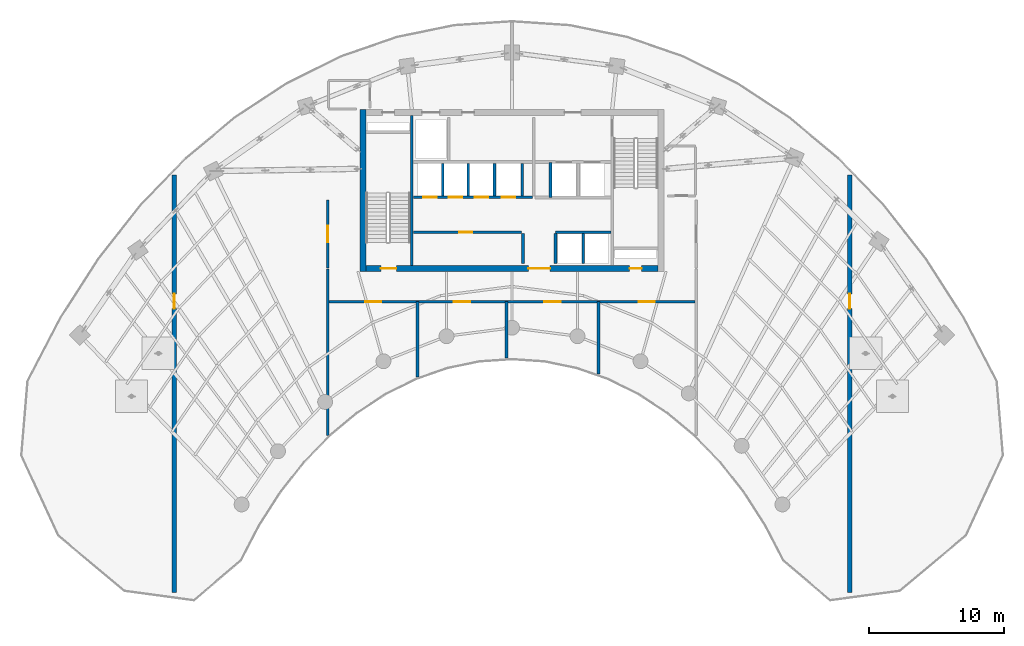
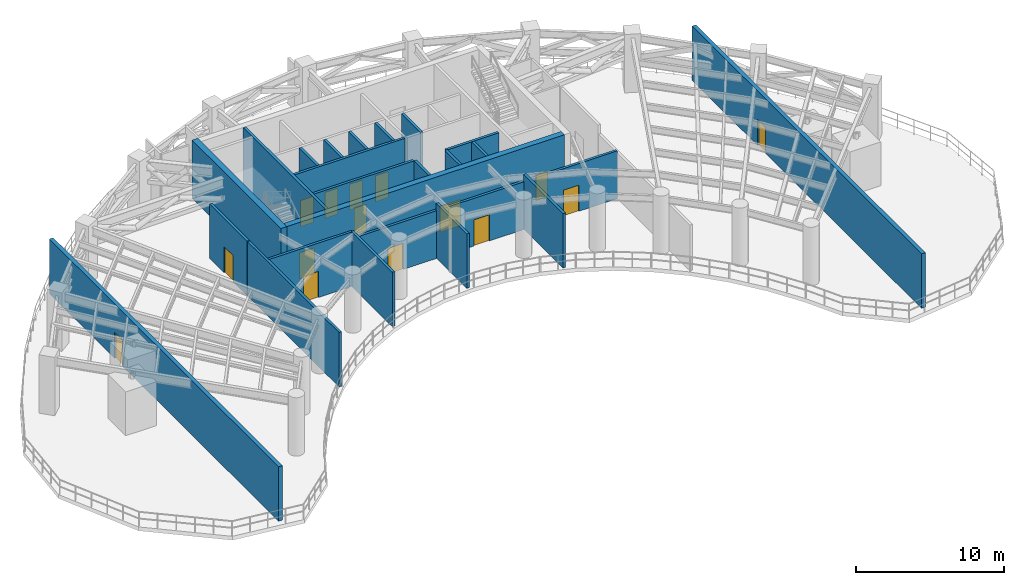
# One storey, part 11 of 24: 25 walls, 15 doors, 15 openings.
"""IFC4 building model written with IfcOpenShell, lengths in metres."""

from ifc_helpers import new_model, si_unit, direction, frame, frame_2d, origin, place, context, subcontext, project, spatial, rectangle, extrude, source, transform, mapped, material, layer, layer_set, type_object, type_shapes, element, fill, save


model = new_model("IFC4")

# Units and contexts
model_context = context("Model", 3, precision=1e-05, world=origin(), true_north=direction((0.0, 1.0)))
body_context = subcontext(model_context, "Body", "Model", "MODEL_VIEW")
ifc_project = project(units=[si_unit("LENGTHUNIT", "METRE"), si_unit("AREAUNIT", "SQUARE_METRE"), si_unit("VOLUMEUNIT", "CUBIC_METRE"), si_unit("PLANEANGLEUNIT", "RADIAN"), si_unit("MASSUNIT", "GRAM", prefix="KILO")], contexts=[model_context])

# Site, building, storey
site_placement = place(None, origin())
site = spatial("IfcSite", under=ifc_project, at=site_placement, CompositionType="ELEMENT")
building_placement = place(site_placement, origin())
building = spatial("IfcBuilding", under=site, at=building_placement, Name="Breltana Convention Tower", CompositionType="ELEMENT")
storey_placement = place(building_placement, frame((0.0, 0.0, 189.60009765625)))
storey = spatial("IfcBuildingStorey", under=building, at=storey_placement, Name="L46", CompositionType="ELEMENT", Elevation=189.60009765625)

# Wall
ifc_material_1 = material(Name="Concrete C60/75", Category="concrete")
ifc_layer_1 = layer(ifc_material_1, 0.449951171875, Name="Concrete C60/75")
ifc_layer_set_1 = layer_set([ifc_layer_1], Name="Concrete C60/75")
wall_type_1 = type_object("IfcWallType", Name="SW-CORE-450", PredefinedType="SHEAR", material=ifc_layer_set_1)
shared_shape_1 = source(origin(), body_context, "Body", "SweptSolid", [
    extrude(rectangle(XDim=12.0, YDim=0.449951171875, at=frame_2d((6.0, 0.0))), origin(), (0.0, 0.0, 1.0), 4.7998046875),
])
type_shapes(wall_type_1, [shared_shape_1])
wall_1_placement = place(storey_placement, frame((36.97509765625, 60.199951171875, 0.0), z_axis=(0.0, 0.0, 1.0), x_axis=(0.0, 1.0, 0.0)))
element("IfcWall", 1, at=wall_1_placement, inside=storey, type_object=wall_type_1, Name="L46 West Core Shear Wall", PredefinedType="SHEAR", context=body_context, shape_type="MappedRepresentation", body=[
    mapped(shared_shape_1, transform((0.0, 0.0, 0.0), scale=1.0)),
])

# Wall, openings, doors
shared_shape_2 = source(origin(), body_context, "Body", "SweptSolid", [
    extrude(rectangle(XDim=21.60009765625, YDim=0.449951171875, at=frame_2d((10.800048828125, 0.0))), origin(), (0.0, 0.0, 1.0), 4.7998046875),
])
wall_2_placement = place(storey_placement, frame((37.199951171875, 60.425048828125, 0.0), z_axis=(0.0, 0.0, 1.0), x_axis=(1.0, 0.0, 0.0)))
wall_2 = element("IfcWall", 2, at=wall_2_placement, inside=storey, type_object=wall_type_1, Name="L46 South Core Shear Wall", PredefinedType="SHEAR", context=body_context, shape_type="MappedRepresentation", body=[
    mapped(shared_shape_2, transform((0.0, 0.0, 0.0), scale=1.0)),
])
opening_1_placement = place(wall_2_placement, frame((1.10009765625, 0.0, 0.0)))
opening_1 = element("IfcOpeningElement", 3, at=opening_1_placement, cuts=wall_2, Name="Opening D-11", PredefinedType="OPENING", context=body_context, shape_type="SweptSolid", body=[
    extrude(rectangle(XDim=1.14990234375, YDim=2.14990234375, at=frame_2d((0.574951171875, 1.074951171875))), frame((0.0, 0.23486328125, 0.0), z_axis=(0.0, -1.0, 0.0), x_axis=(1.0, 0.0, 0.0)), (0.0, 0.0, 1.0), 0.469970703125),
])
opening_2_placement = place(wall_2_placement, frame((19.5, 0.0, 0.0)))
opening_2 = element("IfcOpeningElement", 4, at=opening_2_placement, cuts=wall_2, Name="Opening D-18", PredefinedType="OPENING", context=body_context, shape_type="SweptSolid", body=[
    extrude(rectangle(XDim=0.89990234375, YDim=2.10009765625, at=frame_2d((0.449951171875, 1.050048828125))), frame((0.0, 0.23486328125, 0.0), z_axis=(0.0, -1.0, 0.0), x_axis=(1.0, 0.0, 0.0)), (0.0, 0.0, 1.0), 0.469970703125),
])
opening_3_placement = place(wall_2_placement, frame((12.02001953125, 0.0, 0.0)))
opening_3 = element("IfcOpeningElement", 5, at=opening_3_placement, cuts=wall_2, Name="Opening D-02", PredefinedType="OPENING", context=body_context, shape_type="SweptSolid", body=[
    extrude(rectangle(XDim=1.60009765625, YDim=2.14990234375, at=frame_2d((0.800048828125, 1.074951171875))), frame((0.0, 0.23486328125, 0.0), z_axis=(0.0, -1.0, 0.0), x_axis=(1.0, 0.0, 0.0)), (0.0, 0.0, 1.0), 0.469970703125),
])
ifc_material_2 = material(Name="Steel Stair Exit Door", Category="steel")
door_type_1 = type_object("IfcDoorType", Name="DR-FD120-1150", OperationType="NOTDEFINED", PredefinedType="DOOR", material=ifc_material_2)
shared_shape_3 = source(origin(), body_context, "Body", "SweptSolid", [
    extrude(rectangle(XDim=1.14990234375, YDim=2.14990234375, at=frame_2d((0.574951171875, 1.074951171875))), frame((0.0, 0.02490234375, 0.0), z_axis=(0.0, -1.0, 0.0), x_axis=(1.0, 0.0, 0.0)), (0.0, 0.0, 1.0), 0.050048828125),
])
type_shapes(door_type_1, [shared_shape_3])
door_1_placement = place(opening_1_placement, origin())
door_1 = element("IfcDoor", 6, at=door_1_placement, inside=storey, type_object=door_type_1, Name="L46 interior door D-L46-ST1", OperationType="SINGLE_SWING_LEFT", OverallHeight=2.14990234375, OverallWidth=1.14990234375, PredefinedType="DOOR", context=body_context, shape_type="MappedRepresentation", body=[
    mapped(shared_shape_3, transform((0.0, 0.0, 0.0), scale=1.0)),
])
fill(opening_1, door_1)
ifc_material_3 = material(Name="Steel Riser Fire Door", Category="steel")
door_type_2 = type_object("IfcDoorType", Name="DR-FD60-900", OperationType="NOTDEFINED", PredefinedType="DOOR", material=ifc_material_3)
shared_shape_4 = source(origin(), body_context, "Body", "SweptSolid", [
    extrude(rectangle(XDim=0.89990234375, YDim=2.10009765625, at=frame_2d((0.449951171875, 1.050048828125))), frame((0.0, 0.02490234375, 0.0), z_axis=(0.0, -1.0, 0.0), x_axis=(1.0, 0.0, 0.0)), (0.0, 0.0, 1.0), 0.050048828125),
])
type_shapes(door_type_2, [shared_shape_4])
door_2_placement = place(opening_2_placement, origin())
door_2 = element("IfcDoor", 7, at=door_2_placement, inside=storey, type_object=door_type_2, Name="L46 Core Riser Access Door D-L46-RS2", OperationType="SINGLE_SWING_RIGHT", OverallHeight=2.10009765625, OverallWidth=0.89990234375, PredefinedType="DOOR", context=body_context, shape_type="MappedRepresentation", body=[
    mapped(shared_shape_4, transform((0.0, 0.0, 0.0), scale=1.0)),
])
fill(opening_2, door_2)
ifc_material_4 = material(Name="Steel Glazed Smoke-Control Door", Category="steel")
door_type_3 = type_object("IfcDoorType", Name="DR-DBL-FD90-1600", OperationType="DOUBLE_DOOR_SINGLE_SWING", PredefinedType="DOOR", material=ifc_material_4)
shared_shape_5 = source(origin(), body_context, "Body", "SweptSolid", [
    extrude(rectangle(XDim=1.60009765625, YDim=2.14990234375, at=frame_2d((0.800048828125, 1.074951171875))), frame((0.0, 0.02490234375, 0.0), z_axis=(0.0, -1.0, 0.0), x_axis=(1.0, 0.0, 0.0)), (0.0, 0.0, 1.0), 0.050048828125),
])
type_shapes(door_type_3, [shared_shape_5])
door_3_placement = place(opening_3_placement, origin())
door_3 = element("IfcDoor", 8, at=door_3_placement, inside=storey, type_object=door_type_3, Name="L46 interior door D-L46-LLB-S", OperationType="DOUBLE_DOOR_SINGLE_SWING", OverallHeight=2.14990234375, OverallWidth=1.60009765625, PredefinedType="DOOR", context=body_context, shape_type="MappedRepresentation", body=[
    mapped(shared_shape_5, transform((0.0, 0.0, 0.0), scale=1.0)),
])
fill(opening_3, door_3)

# Wall
ifc_material_5 = material(Name="Concrete C50/60", Category="concrete")
ifc_layer_2 = layer(ifc_material_5, 0.39990234375, Name="Concrete C50/60")
ifc_layer_set_2 = layer_set([ifc_layer_2], Name="Concrete C50/60")
wall_type_2 = type_object("IfcWallType", Name="SW-CORE-400", PredefinedType="SHEAR", material=ifc_layer_set_2)
shared_shape_6 = source(origin(), body_context, "Body", "SweptSolid", [
    extrude(rectangle(XDim=11.10009765625, YDim=0.219970703125, at=frame_2d((5.550048828125, 0.0))), origin(), (0.0, 0.0, 1.0), 4.7998046875),
])
wall_3_placement = place(storey_placement, frame((40.580078125, 60.64990234375, 0.0), z_axis=(0.0, 0.0, 1.0), x_axis=(0.0, 1.0, 0.0)))
element("IfcWall", 9, at=wall_3_placement, inside=storey, type_object=wall_type_2, Name="L46 Core West Stair Spine Wall", PredefinedType="SHEAR", context=body_context, shape_type="MappedRepresentation", body=[
    mapped(shared_shape_6, transform((0.0, 0.0, 0.0), scale=1.0)),
])

# Wall, opening, door
ifc_material_6 = material(Name="Limestone Buff Insulated Wall", Category="masonry")
ifc_layer_3 = layer(ifc_material_6, 0.300048828125, Name="Limestone Buff Insulated Wall")
ifc_layer_set_3 = layer_set([ifc_layer_3], Name="Limestone Buff Insulated Wall")
wall_type_3 = type_object("IfcWallType", Name="WL-EXT-CRN-300", PredefinedType="SOLIDWALL", material=ifc_layer_set_3)
shared_shape_7 = source(origin(), body_context, "Body", "SweptSolid", [
    extrude(rectangle(XDim=30.900146484375, YDim=0.300048828125, at=frame_2d((15.4501953125, 0.0))), origin(), (0.0, 0.0, 1.0), 4.47998046875),
])
wall_4_placement = place(storey_placement, frame((23.0, 36.449951171875, 0.0), z_axis=(0.0, 0.0, 1.0), x_axis=(0.0, 1.0, 0.0)))
wall_4 = element("IfcWall", 10, at=wall_4_placement, inside=storey, type_object=wall_type_3, Name="L46 Venturi slot enclosure wall W", PredefinedType="SOLIDWALL", context=body_context, shape_type="MappedRepresentation", body=[
    mapped(shared_shape_7, transform((0.0, 0.0, 0.0), scale=1.0)),
])
opening_4_placement = place(wall_4_placement, frame((21.0, 0.0, 0.0)))
opening_4 = element("IfcOpeningElement", 11, at=opening_4_placement, cuts=wall_4, Name="Opening ED-05", PredefinedType="OPENING", context=body_context, shape_type="SweptSolid", body=[
    extrude(rectangle(XDim=1.10009765625, YDim=2.14990234375, at=frame_2d((0.550048828125, 1.074951171875))), frame((0.0, 0.16015625, 0.0), z_axis=(0.0, -1.0, 0.0), x_axis=(1.0, 0.0, 0.0)), (0.0, 0.0, 1.0), 0.320068359375),
])
ifc_material_7 = material(Name="Steel Weatherproof Maintenance Door", Category="steel")
door_type_4 = type_object("IfcDoorType", Name="DR-VNT-1100", OperationType="NOTDEFINED", PredefinedType="DOOR", material=ifc_material_7)
shared_shape_8 = source(origin(), body_context, "Body", "SweptSolid", [
    extrude(rectangle(XDim=1.10009765625, YDim=2.14990234375, at=frame_2d((0.550048828125, 1.074951171875))), frame((0.0, 0.02490234375, 0.0), z_axis=(0.0, -1.0, 0.0), x_axis=(1.0, 0.0, 0.0)), (0.0, 0.0, 1.0), 0.050048828125),
])
type_shapes(door_type_4, [shared_shape_8])
door_4_placement = place(opening_4_placement, origin())
door_4 = element("IfcDoor", 12, at=door_4_placement, inside=storey, type_object=door_type_4, Name="L46 Venturi deck maintenance door W", OperationType="SINGLE_SWING_LEFT", OverallHeight=2.14990234375, OverallWidth=1.10009765625, PredefinedType="DOOR", context=body_context, shape_type="MappedRepresentation", body=[
    mapped(shared_shape_8, transform((0.0, 0.0, 0.0), scale=1.0)),
])
fill(opening_4, door_4)

wall_5_placement = place(storey_placement, frame((73.0, 36.449951171875, 0.0), z_axis=(0.0, 0.0, 1.0), x_axis=(0.0, 1.0, 0.0)))
wall_5 = element("IfcWall", 13, at=wall_5_placement, inside=storey, type_object=wall_type_3, Name="L46 Venturi slot enclosure wall E", PredefinedType="SOLIDWALL", context=body_context, shape_type="MappedRepresentation", body=[
    mapped(shared_shape_7, transform((0.0, 0.0, 0.0), scale=1.0)),
])
opening_5_placement = place(wall_5_placement, frame((21.0, 0.0, 0.0)))
opening_5 = element("IfcOpeningElement", 14, at=opening_5_placement, cuts=wall_5, Name="Opening ED-05", PredefinedType="OPENING", context=body_context, shape_type="SweptSolid", body=[
    extrude(rectangle(XDim=1.10009765625, YDim=2.14990234375, at=frame_2d((0.550048828125, 1.074951171875))), frame((0.0, 0.16015625, 0.0), z_axis=(0.0, -1.0, 0.0), x_axis=(1.0, 0.0, 0.0)), (0.0, 0.0, 1.0), 0.320068359375),
])
door_5_placement = place(opening_5_placement, origin())
door_5 = element("IfcDoor", 15, at=door_5_placement, inside=storey, type_object=door_type_4, Name="L46 Venturi deck maintenance door E", OperationType="SINGLE_SWING_RIGHT", OverallHeight=2.14990234375, OverallWidth=1.10009765625, PredefinedType="DOOR", context=body_context, shape_type="MappedRepresentation", body=[
    mapped(shared_shape_8, transform((0.0, 0.0, 0.0), scale=1.0)),
])
fill(opening_5, door_5)

# Walls
ifc_material_8 = material(Name="Autoclaved Aerated Concrete Block", Category="concrete")
ifc_layer_4 = layer(ifc_material_8, 0.199951171875, Name="Autoclaved Aerated Concrete Block")
ifc_layer_set_4 = layer_set([ifc_layer_4], Name="Autoclaved Aerated Concrete Block")
wall_type_4 = type_object("IfcWallType", Name="WL-SHAFT-200", PredefinedType="SOLIDWALL", material=ifc_layer_set_4)
shared_shape_9 = source(origin(), body_context, "Body", "SweptSolid", [
    extrude(rectangle(XDim=2.239990234375, YDim=0.199951171875, at=frame_2d((1.1201171875, 0.0))), origin(), (0.0, 0.0, 1.0), 4.47998046875),
])
for number, where, z_axis, x_axis, name in (
    (16, (48.820068359375, 60.780029296875, 0.0), (0.0, 0.0, 1.0), (0.0, 1.0, 0.0), "L46 interior partition W-L46-PORT-W"),
    (17, (51.219970703125, 60.780029296875, 0.0), (0.0, 0.0, 1.0), (0.0, 1.0, 0.0), "L46 interior partition W-L46-PORT-E"),
):
    element("IfcWall", number, at=place(storey_placement, frame(where, z_axis=z_axis, x_axis=x_axis)), inside=storey, type_object=wall_type_4, Name=name, PredefinedType="SOLIDWALL", context=body_context, shape_type="MappedRepresentation", body=[
        mapped(shared_shape_9, transform((0.0, 0.0, 0.0), scale=1.0)),
    ])
shared_shape_10 = source(origin(), body_context, "Body", "SweptSolid", [
    extrude(rectangle(XDim=2.580078125, YDim=0.199951171875, at=frame_2d((1.2900390625, 0.0))), origin(), (0.0, 0.0, 1.0), 4.47998046875),
])
wall_6_placement = place(storey_placement, frame((50.85009765625, 65.679931640625, 0.0), z_axis=(0.0, 0.0, 1.0), x_axis=(0.0, 1.0, 0.0)))
element("IfcWall", 18, at=wall_6_placement, inside=storey, type_object=wall_type_4, Name="L46 interior partition W-L46-FL-W", PredefinedType="SOLIDWALL", context=body_context, shape_type="MappedRepresentation", body=[
    mapped(shared_shape_10, transform((0.0, 0.0, 0.0), scale=1.0)),
])
shared_shape_11 = source(origin(), body_context, "Body", "SweptSolid", [
    extrude(rectangle(XDim=2.39990234375, YDim=0.199951171875, at=frame_2d((1.199951171875, 0.0))), origin(), (0.0, 0.0, 1.0), 4.47998046875),
])
for number, where, z_axis, x_axis, name in (
    (19, (48.75, 65.800048828125, 0.0), (0.0, 0.0, 1.0), (0.0, 1.0, 0.0), "L46 interior partition W-L46-SH-M-END"),
    (20, (42.8701171875, 65.800048828125, 0.0), (0.0, 0.0, 1.0), (0.0, 1.0, 0.0), "L46 interior partition W-L46-SH-M-DIV1"),
    (21, (44.77001953125, 65.800048828125, 0.0), (0.0, 0.0, 1.0), (0.0, 1.0, 0.0), "L46 interior partition W-L46-SH-M-DIV2"),
    (22, (46.699951171875, 65.800048828125, 0.0), (0.0, 0.0, 1.0), (0.0, 1.0, 0.0), "L46 interior partition W-L46-SH-M-DIV3"),
):
    element("IfcWall", number, at=place(storey_placement, frame(where, z_axis=z_axis, x_axis=x_axis)), inside=storey, type_object=wall_type_4, Name=name, PredefinedType="SOLIDWALL", context=body_context, shape_type="MappedRepresentation", body=[
        mapped(shared_shape_11, transform((0.0, 0.0, 0.0), scale=1.0)),
    ])

# Wall, openings, doors
shared_shape_12 = source(origin(), body_context, "Body", "SweptSolid", [
    extrude(rectangle(XDim=8.800048828125, YDim=0.199951171875, at=frame_2d((4.39990234375, 0.0))), origin(), (0.0, 0.0, 1.0), 4.47998046875),
])
wall_7_placement = place(storey_placement, frame((40.699951171875, 65.699951171875, 0.0), z_axis=(0.0, 0.0, 1.0), x_axis=(1.0, 0.0, 0.0)))
wall_7 = element("IfcWall", 23, at=wall_7_placement, inside=storey, type_object=wall_type_4, Name="L46 interior partition W-L46-SH-M-FRONT", PredefinedType="SOLIDWALL", context=body_context, shape_type="MappedRepresentation", body=[
    mapped(shared_shape_12, transform((0.0, 0.0, 0.0), scale=1.0)),
])
opening_6_placement = place(wall_7_placement, frame((0.719970703125, 0.0, 0.0)))
opening_6 = element("IfcOpeningElement", 24, at=opening_6_placement, cuts=wall_7, Name="Opening LD-04", PredefinedType="OPENING", context=body_context, shape_type="SweptSolid", body=[
    extrude(rectangle(XDim=1.0, YDim=2.14990234375, at=frame_2d((0.5, 1.074951171875))), frame((0.0, 0.10986328125, 0.0), z_axis=(0.0, -1.0, 0.0), x_axis=(1.0, 0.0, 0.0)), (0.0, 0.0, 1.0), 0.219970703125),
])
opening_7_placement = place(wall_7_placement, frame((2.6201171875, 0.0, 0.0)))
opening_7 = element("IfcOpeningElement", 25, at=opening_7_placement, cuts=wall_7, Name="Opening LD-04", PredefinedType="OPENING", context=body_context, shape_type="SweptSolid", body=[
    extrude(rectangle(XDim=1.0, YDim=2.14990234375, at=frame_2d((0.5, 1.074951171875))), frame((0.0, 0.10986328125, 0.0), z_axis=(0.0, -1.0, 0.0), x_axis=(1.0, 0.0, 0.0)), (0.0, 0.0, 1.0), 0.219970703125),
])
opening_8_placement = place(wall_7_placement, frame((4.550048828125, 0.0, 0.0)))
opening_8 = element("IfcOpeningElement", 26, at=opening_8_placement, cuts=wall_7, Name="Opening LD-04", PredefinedType="OPENING", context=body_context, shape_type="SweptSolid", body=[
    extrude(rectangle(XDim=1.0, YDim=2.14990234375, at=frame_2d((0.5, 1.074951171875))), frame((0.0, 0.10986328125, 0.0), z_axis=(0.0, -1.0, 0.0), x_axis=(1.0, 0.0, 0.0)), (0.0, 0.0, 1.0), 0.219970703125),
])
opening_9_placement = place(wall_7_placement, frame((6.550048828125, 0.0, 0.0)))
opening_9 = element("IfcOpeningElement", 27, at=opening_9_placement, cuts=wall_7, Name="Opening LD-04", PredefinedType="OPENING", context=body_context, shape_type="SweptSolid", body=[
    extrude(rectangle(XDim=1.0, YDim=2.14990234375, at=frame_2d((0.5, 1.074951171875))), frame((0.0, 0.10986328125, 0.0), z_axis=(0.0, -1.0, 0.0), x_axis=(1.0, 0.0, 0.0)), (0.0, 0.0, 1.0), 0.219970703125),
])
ifc_material_9 = material(Name="Stainless Steel Brushed", Category="steel")
door_type_5 = type_object("IfcDoorType", Name="DR-LD-PAX-1000", OperationType="DOUBLE_DOOR_SLIDING", PredefinedType="DOOR", material=ifc_material_9)
shared_shape_13 = source(origin(), body_context, "Body", "SweptSolid", [
    extrude(rectangle(XDim=1.0, YDim=2.14990234375, at=frame_2d((0.5, 1.074951171875))), frame((0.0, 0.02490234375, 0.0), z_axis=(0.0, -1.0, 0.0), x_axis=(1.0, 0.0, 0.0)), (0.0, 0.0, 1.0), 0.050048828125),
])
type_shapes(door_type_5, [shared_shape_13])
door_6_placement = place(opening_6_placement, origin())
door_6 = element("IfcDoor", 28, at=door_6_placement, inside=storey, type_object=door_type_5, Name="L46 Lift Landing Door D-L46-LD-M1", OperationType="DOUBLE_DOOR_SLIDING", OverallHeight=2.14990234375, OverallWidth=1.0, PredefinedType="DOOR", context=body_context, shape_type="MappedRepresentation", body=[
    mapped(shared_shape_13, transform((0.0, 0.0, 0.0), scale=1.0)),
])
fill(opening_6, door_6)
door_7_placement = place(opening_7_placement, origin())
door_7 = element("IfcDoor", 29, at=door_7_placement, inside=storey, type_object=door_type_5, Name="L46 Lift Landing Door D-L46-LD-M2", OperationType="DOUBLE_DOOR_SLIDING", OverallHeight=2.14990234375, OverallWidth=1.0, PredefinedType="DOOR", context=body_context, shape_type="MappedRepresentation", body=[
    mapped(shared_shape_13, transform((0.0, 0.0, 0.0), scale=1.0)),
])
fill(opening_7, door_7)
door_8_placement = place(opening_8_placement, origin())
door_8 = element("IfcDoor", 30, at=door_8_placement, inside=storey, type_object=door_type_5, Name="L46 Lift Landing Door D-L46-LD-M3", OperationType="DOUBLE_DOOR_SLIDING", OverallHeight=2.14990234375, OverallWidth=1.0, PredefinedType="DOOR", context=body_context, shape_type="MappedRepresentation", body=[
    mapped(shared_shape_13, transform((0.0, 0.0, 0.0), scale=1.0)),
])
fill(opening_8, door_8)
door_9_placement = place(opening_9_placement, origin())
door_9 = element("IfcDoor", 31, at=door_9_placement, inside=storey, type_object=door_type_5, Name="L46 Lift Landing Door D-L46-LD-M4", OperationType="DOUBLE_DOOR_SLIDING", OverallHeight=2.14990234375, OverallWidth=1.0, PredefinedType="DOOR", context=body_context, shape_type="MappedRepresentation", body=[
    mapped(shared_shape_13, transform((0.0, 0.0, 0.0), scale=1.0)),
])
fill(opening_9, door_9)

# Wall, opening, door
shared_shape_14 = source(origin(), body_context, "Body", "SweptSolid", [
    extrude(rectangle(XDim=8.02001953125, YDim=0.199951171875, at=frame_2d((4.010009765625, 0.0))), origin(), (0.0, 0.0, 1.0), 4.47998046875),
])
wall_8_placement = place(storey_placement, frame((40.699951171875, 63.10009765625, 0.0), z_axis=(0.0, 0.0, 1.0), x_axis=(1.0, 0.0, 0.0)))
wall_8 = element("IfcWall", 32, at=wall_8_placement, inside=storey, type_object=wall_type_4, Name="L46 interior partition W-L46-SH-S-FRONT", PredefinedType="SOLIDWALL", context=body_context, shape_type="MappedRepresentation", body=[
    mapped(shared_shape_14, transform((0.0, 0.0, 0.0), scale=1.0)),
])
opening_10_placement = place(wall_8_placement, frame((3.39990234375, 0.0, 0.0)))
opening_10 = element("IfcOpeningElement", 33, at=opening_10_placement, cuts=wall_8, Name="Opening D-14", PredefinedType="OPENING", context=body_context, shape_type="SweptSolid", body=[
    extrude(rectangle(XDim=0.949951171875, YDim=2.14990234375, at=frame_2d((0.47509765625, 1.074951171875))), frame((0.0, 0.10986328125, 0.0), z_axis=(0.0, -1.0, 0.0), x_axis=(1.0, 0.0, 0.0)), (0.0, 0.0, 1.0), 0.219970703125),
])
ifc_material_10 = material(Name="Timber Solid-Core Fire Door", Category="wood")
door_type_6 = type_object("IfcDoorType", Name="DR-FD60-950", OperationType="NOTDEFINED", PredefinedType="DOOR", material=ifc_material_10)
shared_shape_15 = source(origin(), body_context, "Body", "SweptSolid", [
    extrude(rectangle(XDim=0.949951171875, YDim=2.14990234375, at=frame_2d((0.47509765625, 1.074951171875))), frame((0.0, 0.02490234375, 0.0), z_axis=(0.0, -1.0, 0.0), x_axis=(1.0, 0.0, 0.0)), (0.0, 0.0, 1.0), 0.050048828125),
])
type_shapes(door_type_6, [shared_shape_15])
door_10_placement = place(opening_10_placement, origin())
door_10 = element("IfcDoor", 34, at=door_10_placement, inside=storey, type_object=door_type_6, Name="L46 interior door D-L46-LV7-B1A", OperationType="SINGLE_SWING_LEFT", OverallHeight=2.14990234375, OverallWidth=0.949951171875, PredefinedType="DOOR", context=body_context, shape_type="MappedRepresentation", body=[
    mapped(shared_shape_15, transform((0.0, 0.0, 0.0), scale=1.0)),
])
fill(opening_10, door_10)

# Walls
shared_shape_16 = source(origin(), body_context, "Body", "SweptSolid", [
    extrude(rectangle(XDim=4.10009765625, YDim=0.199951171875, at=frame_2d((2.050048828125, 0.0))), origin(), (0.0, 0.0, 1.0), 4.47998046875),
])
wall_9_placement = place(storey_placement, frame((51.219970703125, 63.10009765625, 0.0), z_axis=(0.0, 0.0, 1.0), x_axis=(1.0, 0.0, 0.0)))
element("IfcWall", 35, at=wall_9_placement, inside=storey, type_object=wall_type_4, Name="L46 interior partition W-L46-SH-X-FRONT", PredefinedType="SOLIDWALL", context=body_context, shape_type="MappedRepresentation", body=[
    mapped(shared_shape_16, transform((0.0, 0.0, 0.0), scale=1.0)),
])
shared_shape_17 = source(origin(), body_context, "Body", "SweptSolid", [
    extrude(rectangle(XDim=2.199951171875, YDim=0.199951171875, at=frame_2d((1.10009765625, 0.0))), origin(), (0.0, 0.0, 1.0), 4.47998046875),
])
wall_10_placement = place(storey_placement, frame((53.280029296875, 60.800048828125, 0.0), z_axis=(0.0, 0.0, 1.0), x_axis=(0.0, 1.0, 0.0)))
element("IfcWall", 36, at=wall_10_placement, inside=storey, type_object=wall_type_4, Name="L46 interior partition W-L46-SH-X-DIV", PredefinedType="SOLIDWALL", context=body_context, shape_type="MappedRepresentation", body=[
    mapped(shared_shape_17, transform((0.0, 0.0, 0.0), scale=1.0)),
])

# Wall, opening, door
shared_shape_18 = source(origin(), body_context, "Body", "SweptSolid", [
    extrude(rectangle(XDim=6.550048828125, YDim=0.199951171875, at=frame_2d((3.27490234375, 0.0))), origin(), (0.0, 0.0, 1.0), 4.47998046875),
])
wall_11_placement = place(storey_placement, frame((34.449951171875, 57.9599609375, 0.0), z_axis=(0.0, 0.0, 1.0), x_axis=(1.0, 0.0, 0.0)))
wall_11 = element("IfcWall", 37, at=wall_11_placement, inside=storey, type_object=wall_type_4, Name="L46 interior partition W-L46-TPLS-N1", PredefinedType="SOLIDWALL", context=body_context, shape_type="MappedRepresentation", body=[
    mapped(shared_shape_18, transform((0.0, 0.0, 0.0), scale=1.0)),
])
opening_11_placement = place(wall_11_placement, frame((2.675048828125, 0.0, 0.0)))
opening_11 = element("IfcOpeningElement", 38, at=opening_11_placement, cuts=wall_11, Name="Opening D-09", PredefinedType="OPENING", context=body_context, shape_type="SweptSolid", body=[
    extrude(rectangle(XDim=1.199951171875, YDim=2.14990234375, at=frame_2d((0.60009765625, 1.074951171875))), frame((0.0, 0.10986328125, 0.0), z_axis=(0.0, -1.0, 0.0), x_axis=(1.0, 0.0, 0.0)), (0.0, 0.0, 1.0), 0.219970703125),
])
ifc_material_11 = material(Name="Steel Fire Lobby Door", Category="steel")
door_type_7 = type_object("IfcDoorType", Name="DR-FD120-1200", OperationType="NOTDEFINED", PredefinedType="DOOR", material=ifc_material_11)
shared_shape_19 = source(origin(), body_context, "Body", "SweptSolid", [
    extrude(rectangle(XDim=1.199951171875, YDim=2.14990234375, at=frame_2d((0.60009765625, 1.074951171875))), frame((0.0, 0.02490234375, 0.0), z_axis=(0.0, -1.0, 0.0), x_axis=(1.0, 0.0, 0.0)), (0.0, 0.0, 1.0), 0.050048828125),
])
type_shapes(door_type_7, [shared_shape_19])
door_11_placement = place(opening_11_placement, origin())
door_11 = element("IfcDoor", 39, at=door_11_placement, inside=storey, type_object=door_type_7, Name="L46 interior door D-L46-PL-HX", OperationType="SINGLE_SWING_RIGHT", OverallHeight=2.14990234375, OverallWidth=1.199951171875, PredefinedType="DOOR", context=body_context, shape_type="MappedRepresentation", body=[
    mapped(shared_shape_19, transform((0.0, 0.0, 0.0), scale=1.0)),
])
fill(opening_11, door_11)

# Wall
shared_shape_20 = source(origin(), body_context, "Body", "SweptSolid", [
    extrude(rectangle(XDim=5.56201171875, YDim=0.199951171875, at=frame_2d((2.781005859375, 0.0))), origin(), (0.0, 0.0, 1.0), 4.47998046875),
])
wall_12_placement = place(storey_placement, frame((41.0, 52.39794921875, 0.0), z_axis=(0.0, 0.0, 1.0), x_axis=(0.0, 1.0, 0.0)))
element("IfcWall", 40, at=wall_12_placement, inside=storey, type_object=wall_type_4, Name="L46 interior partition W-L46-TPLS-M1", PredefinedType="SOLIDWALL", context=body_context, shape_type="MappedRepresentation", body=[
    mapped(shared_shape_20, transform((0.0, 0.0, 0.0), scale=1.0)),
])

# Wall, opening, door
shared_shape_21 = source(origin(), body_context, "Body", "SweptSolid", [
    extrude(rectangle(XDim=6.60009765625, YDim=0.199951171875, at=frame_2d((3.300048828125, 0.0))), origin(), (0.0, 0.0, 1.0), 3.9248046875),
])
wall_13_placement = place(storey_placement, frame((41.0, 57.9599609375, 0.0), z_axis=(0.0, 0.0, 1.0), x_axis=(1.0, 0.0, 0.0)))
wall_13 = element("IfcWall", 41, at=wall_13_placement, inside=storey, type_object=wall_type_4, Name="L46 interior partition W-L46-TPLS-N2", PredefinedType="SOLIDWALL", context=body_context, shape_type="MappedRepresentation", body=[
    mapped(shared_shape_21, transform((0.0, 0.0, 0.0), scale=1.0)),
])
opening_12_placement = place(wall_13_placement, frame((2.699951171875, 0.0, 0.0)))
opening_12 = element("IfcOpeningElement", 42, at=opening_12_placement, cuts=wall_13, Name="Opening D-09", PredefinedType="OPENING", context=body_context, shape_type="SweptSolid", body=[
    extrude(rectangle(XDim=1.199951171875, YDim=2.14990234375, at=frame_2d((0.60009765625, 1.074951171875))), frame((0.0, 0.10986328125, 0.0), z_axis=(0.0, -1.0, 0.0), x_axis=(1.0, 0.0, 0.0)), (0.0, 0.0, 1.0), 0.219970703125),
])
door_12_placement = place(opening_12_placement, origin())
door_12 = element("IfcDoor", 43, at=door_12_placement, inside=storey, type_object=door_type_7, Name="L46 interior door D-L46-PL-DMP", OperationType="SINGLE_SWING_LEFT", OverallHeight=2.14990234375, OverallWidth=1.199951171875, PredefinedType="DOOR", context=body_context, shape_type="MappedRepresentation", body=[
    mapped(shared_shape_19, transform((0.0, 0.0, 0.0), scale=1.0)),
])
fill(opening_12, door_12)

# Wall
shared_shape_22 = source(origin(), body_context, "Body", "SweptSolid", [
    extrude(rectangle(XDim=4.172607421875, YDim=0.199951171875, at=frame_2d((2.08642578125, 0.0))), origin(), (0.0, 0.0, 1.0), 4.47998046875),
])
wall_14_placement = place(storey_placement, frame((47.60009765625, 53.787353515625, 0.0), z_axis=(0.0, 0.0, 1.0), x_axis=(0.0, 1.0, 0.0)))
element("IfcWall", 44, at=wall_14_placement, inside=storey, type_object=wall_type_4, Name="L46 interior partition W-L46-TPLS-M2", PredefinedType="SOLIDWALL", context=body_context, shape_type="MappedRepresentation", body=[
    mapped(shared_shape_22, transform((0.0, 0.0, 0.0), scale=1.0)),
])

# Wall, opening, door
shared_shape_23 = source(origin(), body_context, "Body", "SweptSolid", [
    extrude(rectangle(XDim=6.7998046875, YDim=0.199951171875, at=frame_2d((3.39990234375, 0.0))), origin(), (0.0, 0.0, 1.0), 3.9248046875),
])
wall_15_placement = place(storey_placement, frame((47.60009765625, 57.9599609375, 0.0), z_axis=(0.0, 0.0, 1.0), x_axis=(1.0, 0.0, 0.0)))
wall_15 = element("IfcWall", 45, at=wall_15_placement, inside=storey, type_object=wall_type_4, Name="L46 interior partition W-L46-TPLS-N3", PredefinedType="SOLIDWALL", context=body_context, shape_type="MappedRepresentation", body=[
    mapped(shared_shape_23, transform((0.0, 0.0, 0.0), scale=1.0)),
])
opening_13_placement = place(wall_15_placement, frame((2.800048828125, 0.0, 0.0)))
opening_13 = element("IfcOpeningElement", 46, at=opening_13_placement, cuts=wall_15, Name="Opening D-09", PredefinedType="OPENING", context=body_context, shape_type="SweptSolid", body=[
    extrude(rectangle(XDim=1.199951171875, YDim=2.14990234375, at=frame_2d((0.60009765625, 1.074951171875))), frame((0.0, 0.10986328125, 0.0), z_axis=(0.0, -1.0, 0.0), x_axis=(1.0, 0.0, 0.0)), (0.0, 0.0, 1.0), 0.219970703125),
])
door_13_placement = place(opening_13_placement, origin())
door_13 = element("IfcDoor", 47, at=door_13_placement, inside=storey, type_object=door_type_7, Name="L46 interior door D-L46-PL-FAN", OperationType="SINGLE_SWING_RIGHT", OverallHeight=2.14990234375, OverallWidth=1.199951171875, PredefinedType="DOOR", context=body_context, shape_type="MappedRepresentation", body=[
    mapped(shared_shape_19, transform((0.0, 0.0, 0.0), scale=1.0)),
])
fill(opening_13, door_13)

# Wall
shared_shape_24 = source(origin(), body_context, "Body", "SweptSolid", [
    extrude(rectangle(XDim=5.354248046875, YDim=0.199951171875, at=frame_2d((2.67724609375, 0.0))), origin(), (0.0, 0.0, 1.0), 4.47998046875),
])
wall_16_placement = place(storey_placement, frame((54.39990234375, 52.605712890625, 0.0), z_axis=(0.0, 0.0, 1.0), x_axis=(0.0, 1.0, 0.0)))
element("IfcWall", 48, at=wall_16_placement, inside=storey, type_object=wall_type_4, Name="L46 interior partition W-L46-TPLS-M3", PredefinedType="SOLIDWALL", context=body_context, shape_type="MappedRepresentation", body=[
    mapped(shared_shape_24, transform((0.0, 0.0, 0.0), scale=1.0)),
])

# Wall, opening, door
shared_shape_25 = source(origin(), body_context, "Body", "SweptSolid", [
    extrude(rectangle(XDim=7.150146484375, YDim=0.199951171875, at=frame_2d((3.5751953125, 0.0))), origin(), (0.0, 0.0, 1.0), 3.9248046875),
])
wall_17_placement = place(storey_placement, frame((54.39990234375, 57.9599609375, 0.0), z_axis=(0.0, 0.0, 1.0), x_axis=(1.0, 0.0, 0.0)))
wall_17 = element("IfcWall", 49, at=wall_17_placement, inside=storey, type_object=wall_type_4, Name="L46 interior partition W-L46-TPLS-N4", PredefinedType="SOLIDWALL", context=body_context, shape_type="MappedRepresentation", body=[
    mapped(shared_shape_25, transform((0.0, 0.0, 0.0), scale=1.0)),
])
opening_14_placement = place(wall_17_placement, frame((2.97509765625, 0.0, 0.0)))
opening_14 = element("IfcOpeningElement", 50, at=opening_14_placement, cuts=wall_17, Name="Opening D-09", PredefinedType="OPENING", context=body_context, shape_type="SweptSolid", body=[
    extrude(rectangle(XDim=1.199951171875, YDim=2.14990234375, at=frame_2d((0.60009765625, 1.074951171875))), frame((0.0, 0.10986328125, 0.0), z_axis=(0.0, -1.0, 0.0), x_axis=(1.0, 0.0, 0.0)), (0.0, 0.0, 1.0), 0.219970703125),
])
door_14_placement = place(opening_14_placement, origin())
door_14 = element("IfcDoor", 51, at=door_14_placement, inside=storey, type_object=door_type_7, Name="L46 interior door D-L46-PL-EL", OperationType="SINGLE_SWING_LEFT", OverallHeight=2.14990234375, OverallWidth=1.199951171875, PredefinedType="DOOR", context=body_context, shape_type="MappedRepresentation", body=[
    mapped(shared_shape_19, transform((0.0, 0.0, 0.0), scale=1.0)),
])
fill(opening_14, door_14)

# Wall
shared_shape_26 = source(origin(), body_context, "Body", "SweptSolid", [
    extrude(rectangle(XDim=12.335693359375, YDim=0.199951171875, at=frame_2d((6.16796875, 0.0))), origin(), (0.0, 0.0, 1.0), 4.47998046875),
])
wall_18_placement = place(storey_placement, frame((34.360107421875, 48.064208984375, 0.0), z_axis=(0.0, 0.0, 1.0), x_axis=(0.0, 1.0, 0.0)))
element("IfcWall", 52, at=wall_18_placement, inside=storey, type_object=wall_type_4, Name="L46 interior partition W-L46-REFW-S", PredefinedType="SOLIDWALL", context=body_context, shape_type="MappedRepresentation", body=[
    mapped(shared_shape_26, transform((0.0, 0.0, 0.0), scale=1.0)),
])

# Wall, opening, door
shared_shape_27 = source(origin(), body_context, "Body", "SweptSolid", [
    extrude(rectangle(XDim=5.050048828125, YDim=0.199951171875, at=frame_2d((2.52490234375, 0.0))), origin(), (0.0, 0.0, 1.0), 4.47998046875),
])
wall_19_placement = place(storey_placement, frame((34.360107421875, 60.449951171875, 0.0), z_axis=(0.0, 0.0, 1.0), x_axis=(0.0, 1.0, 0.0)))
wall_19 = element("IfcWall", 53, at=wall_19_placement, inside=storey, type_object=wall_type_4, Name="L46 interior partition W-L46-REFW-D", PredefinedType="SOLIDWALL", context=body_context, shape_type="MappedRepresentation", body=[
    mapped(shared_shape_27, transform((0.0, 0.0, 0.0), scale=1.0)),
])
opening_15_placement = place(wall_19_placement, frame((1.925048828125, 0.0, 0.0)))
opening_15 = element("IfcOpeningElement", 54, at=opening_15_placement, cuts=wall_19, Name="Opening D-09", PredefinedType="OPENING", context=body_context, shape_type="SweptSolid", body=[
    extrude(rectangle(XDim=1.199951171875, YDim=2.14990234375, at=frame_2d((0.60009765625, 1.074951171875))), frame((0.0, 0.10986328125, 0.0), z_axis=(0.0, -1.0, 0.0), x_axis=(1.0, 0.0, 0.0)), (0.0, 0.0, 1.0), 0.219970703125),
])
door_15_placement = place(opening_15_placement, origin())
door_15 = element("IfcDoor", 55, at=door_15_placement, inside=storey, type_object=door_type_7, Name="L46 interior door D-L46-REFW", OperationType="SINGLE_SWING_RIGHT", OverallHeight=2.14990234375, OverallWidth=1.199951171875, PredefinedType="DOOR", context=body_context, shape_type="MappedRepresentation", body=[
    mapped(shared_shape_19, transform((0.0, 0.0, 0.0), scale=1.0)),
])
fill(opening_15, door_15)

save(model, "model.ifc")
